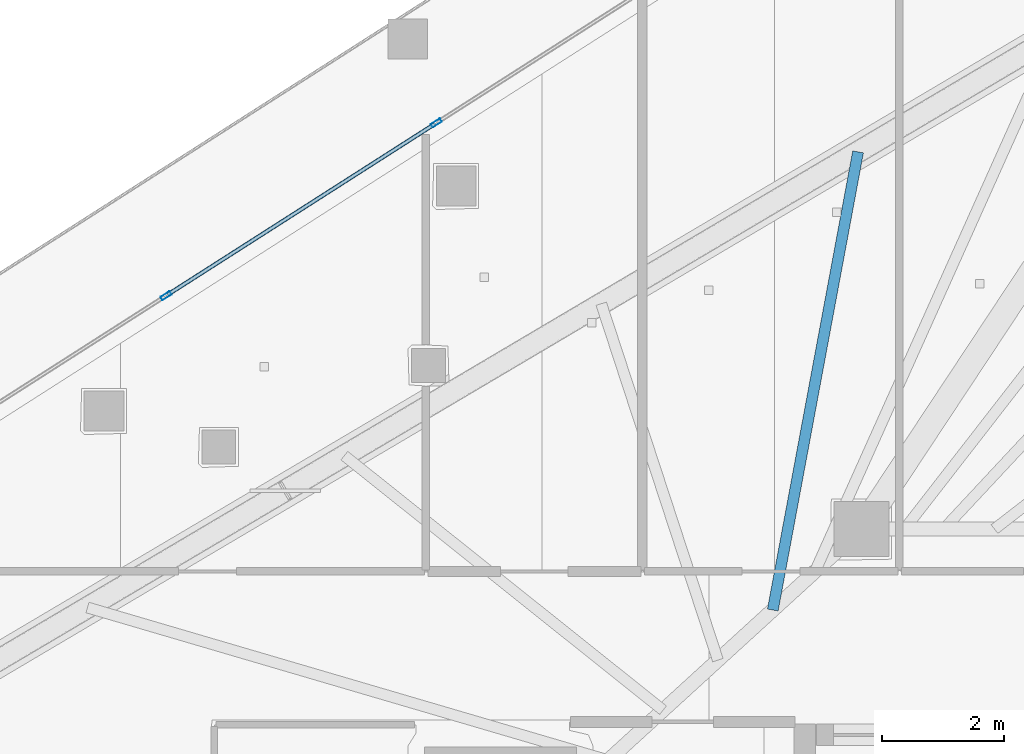
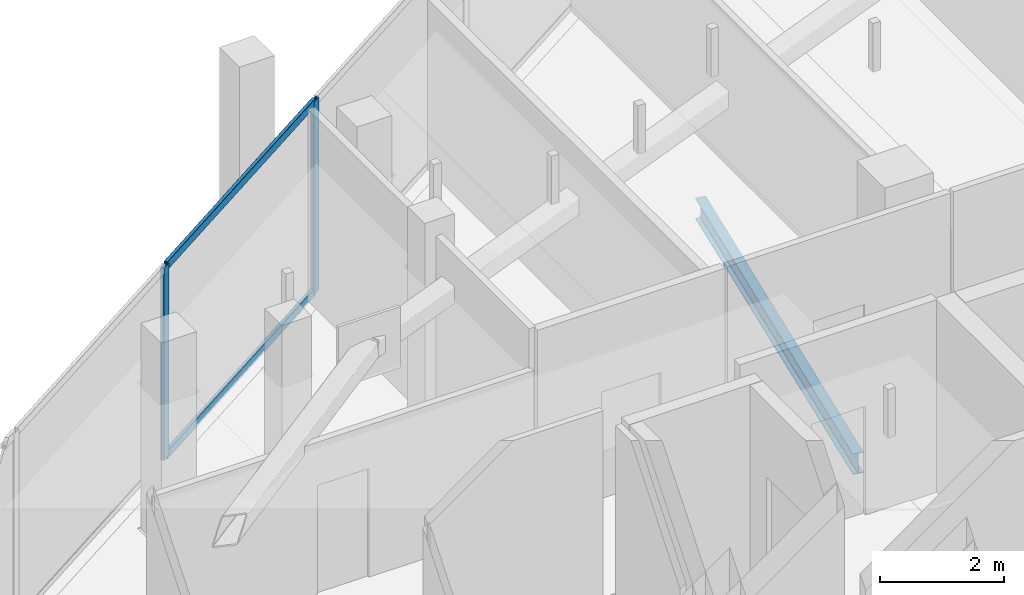
# One storey, part 20 of 43: 4 members, 1 beam, 1 element without a shape of its own.
"""IFC4 building model written with IfcOpenShell, lengths in metres."""

from ifc_helpers import new_model, si_unit, direction, frame, origin, origin_2d, place, context, subcontext, project, spatial, hollow_rectangle, i_section, extrude, material, layer, layer_set, material_profile, profile_set, type_object, element, aggregate, save


model = new_model("IFC4")

# Units and contexts
model_context = context("Model", 3, precision=1e-05, world=origin(), true_north=direction((0.0, 1.0)))
body_context = subcontext(model_context, "Body", "Model", "MODEL_VIEW")
ifc_project = project(units=[si_unit("LENGTHUNIT", "METRE"), si_unit("AREAUNIT", "SQUARE_METRE"), si_unit("VOLUMEUNIT", "CUBIC_METRE"), si_unit("PLANEANGLEUNIT", "RADIAN"), si_unit("MASSUNIT", "GRAM", prefix="KILO")], contexts=[model_context])

# Site, building, storey
site_placement = place(None, origin())
site = spatial("IfcSite", under=ifc_project, at=site_placement, CompositionType="ELEMENT")
building_placement = place(site_placement, origin())
building = spatial("IfcBuilding", under=site, at=building_placement, Name="Qorvath Tower", CompositionType="ELEMENT")
storey_placement = place(building_placement, frame((0.0, 0.0, 213.14990234375)))
storey = spatial("IfcBuildingStorey", under=building, at=storey_placement, Name="L49", CompositionType="ELEMENT", Elevation=213.14990234375)

# Beam
ifc_material_1 = material(Name="Steel ASTM A992 Grade 50", Category="steel")
ifc_material_profile_1 = material_profile(ifc_material_1, i_section(OverallWidth=0.177978515625, OverallDepth=0.406005859375, WebThickness=0.0078125, FlangeThickness=0.0126953125, FilletRadius=0.010986328125, at=origin_2d()), Name="W16x40")
ifc_profile_set_1 = profile_set([ifc_material_profile_1], Name="Steel ASTM A992 Grade 50")
beam_type = type_object("IfcBeamType", Name="BM-FJ3", PredefinedType="JOIST", material=ifc_profile_set_1)
beam_placement = place(storey_placement, frame((-25.049072265625, 10.126953125, -0.472900390625), z_axis=(0.183026775988, 0.983107928598, 0.0), x_axis=(-0.983107928598, 0.183026775988, 0.0)))
element("IfcBeam", 1, at=beam_placement, inside=storey, type_object=beam_type, Name="Composite Floor Joist NW6 L49", PredefinedType="JOIST", context=body_context, shape_type="SweptSolid", body=[
    extrude(i_section(OverallWidth=0.177978515625, OverallDepth=0.406005859375, WebThickness=0.0078125, FlangeThickness=0.0126953125, FilletRadius=0.010986328125, at=origin_2d()), origin(), (0.0, 0.0, 1.0), 7.617919921875),
])

# Curtain wall, members
ifc_material_2 = material(Name="Anodised aluminium and triple low-E glass", Category="aluminium")
ifc_layer = layer(ifc_material_2, 0.179931640625)
ifc_layer_set = layer_set([ifc_layer], Name="CW-SYS-3")
curtain_wall_type = type_object("IfcCurtainWallType", Name="CW-SYS-3", PredefinedType="NOTDEFINED", material=ifc_layer_set)
curtain_wall_placement = place(storey_placement, origin())
curtain_wall = element("IfcCurtainWall", 2, at=curtain_wall_placement, inside=storey, type_object=curtain_wall_type, Name="Curtain Wall CW-3 CW-T-L49-16.1", PredefinedType="NOTDEFINED")
ifc_material_3 = material(Name="Anodised aluminium 6063-T6", Category="aluminium")
ifc_material_profile_2 = material_profile(ifc_material_3, hollow_rectangle(XDim=0.06494140625, YDim=0.179931640625, WallThickness=0.00341796875, InnerFilletRadius=0.00341796875, OuterFilletRadius=0.007080078125, at=origin_2d()), Name="CWM 180x65")
ifc_profile_set_2 = profile_set([ifc_material_profile_2], Name="Anodised aluminium 6063-T6")
member_type_1 = type_object("IfcMemberType", Name="CWM-180", PredefinedType="MULLION", material=ifc_profile_set_2)
member_1_placement = place(storey_placement, frame((-30.548828125, 18.088623046875, 0.0), z_axis=(0.0, 0.0, 1.0), x_axis=(0.538532455845, -0.842604767374, 0.0)))
member_1 = element("IfcMember", 3, at=member_1_placement, type_object=member_type_1, Name="CW-3 mullion 4", PredefinedType="MULLION", context=body_context, shape_type="SweptSolid", body=[
    extrude(hollow_rectangle(XDim=0.06494140625, YDim=0.179931640625, WallThickness=0.00341796875, InnerFilletRadius=0.00341796875, OuterFilletRadius=0.007080078125, at=origin_2d()), origin(), (0.0, 0.0, 1.0), 3.780029296875),
])
member_2_placement = place(storey_placement, frame((-34.966552734375, 15.26513671875, 0.0), z_axis=(0.0, 0.0, 1.0), x_axis=(0.538532455845, -0.842604767374, 0.0)))
member_2 = element("IfcMember", 4, at=member_2_placement, type_object=member_type_1, Name="CW-3 mullion 5", PredefinedType="MULLION", context=body_context, shape_type="SweptSolid", body=[
    extrude(hollow_rectangle(XDim=0.06494140625, YDim=0.179931640625, WallThickness=0.00341796875, InnerFilletRadius=0.00341796875, OuterFilletRadius=0.007080078125, at=origin_2d()), origin(), (0.0, 0.0, 1.0), 3.780029296875),
])
ifc_material_4 = material(Name="Anodised aluminium 6063-T6", Category="aluminium")
ifc_material_profile_3 = material_profile(ifc_material_4, hollow_rectangle(XDim=0.06494140625, YDim=0.159912109375, WallThickness=0.00341796875, InnerFilletRadius=0.00341796875, OuterFilletRadius=0.007080078125, at=origin_2d()), Name="CWT 160x65")
ifc_profile_set_3 = profile_set([ifc_material_profile_3], Name="Anodised aluminium 6063-T6")
member_type_2 = type_object("IfcMemberType", Name="CWT-160", PredefinedType="USERDEFINED", material=ifc_profile_set_3)
member_3_placement = place(storey_placement, frame((-30.576171875, 18.071044921875, 0.032470703125), z_axis=(-0.84262316261, -0.538503672999, 0.0), x_axis=(0.538503672999, -0.84262316261, 0.0)))
member_3 = element("IfcMember", 5, at=member_3_placement, type_object=member_type_2, Name="CW-3 transom 4.1", ObjectType="TRANSOM", PredefinedType="USERDEFINED", context=body_context, shape_type="SweptSolid", body=[
    extrude(hollow_rectangle(XDim=0.06494140625, YDim=0.159912109375, WallThickness=0.00341796875, InnerFilletRadius=0.00341796875, OuterFilletRadius=0.007080078125, at=origin_2d()), origin(), (0.0, 0.0, 1.0), 5.177978515625),
])
member_4_placement = place(storey_placement, frame((-30.576171875, 18.071044921875, 3.74755859375), z_axis=(-0.84262316261, -0.538503672999, 0.0), x_axis=(0.538503672999, -0.84262316261, 0.0)))
member_4 = element("IfcMember", 6, at=member_4_placement, type_object=member_type_2, Name="CW-3 transom 4.2", ObjectType="TRANSOM", PredefinedType="USERDEFINED", context=body_context, shape_type="SweptSolid", body=[
    extrude(hollow_rectangle(XDim=0.06494140625, YDim=0.159912109375, WallThickness=0.00341796875, InnerFilletRadius=0.00341796875, OuterFilletRadius=0.007080078125, at=origin_2d()), origin(), (0.0, 0.0, 1.0), 5.177978515625),
])
aggregate(curtain_wall, [member_1, member_2, member_3, member_4])

save(model, "model.ifc")
